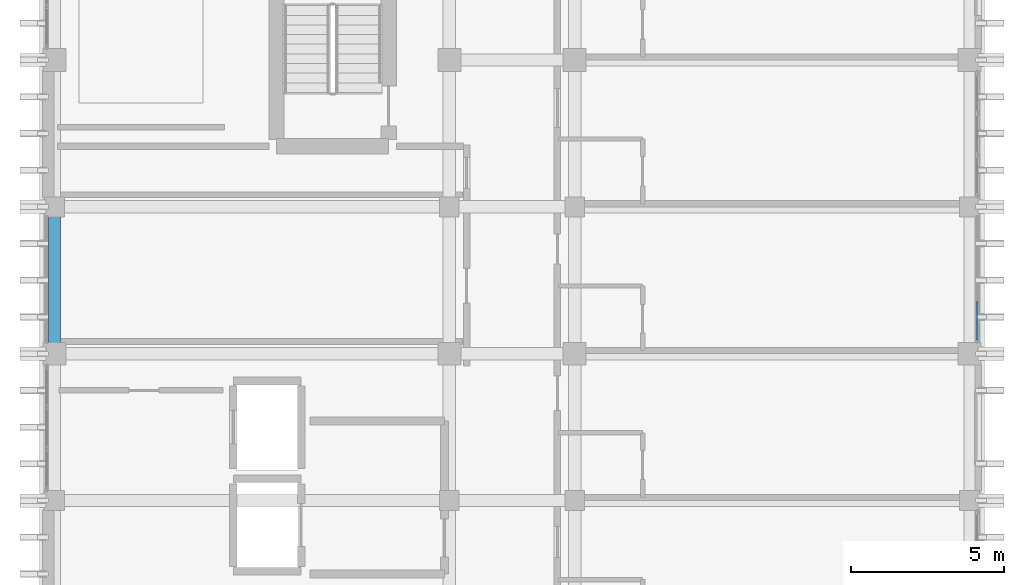
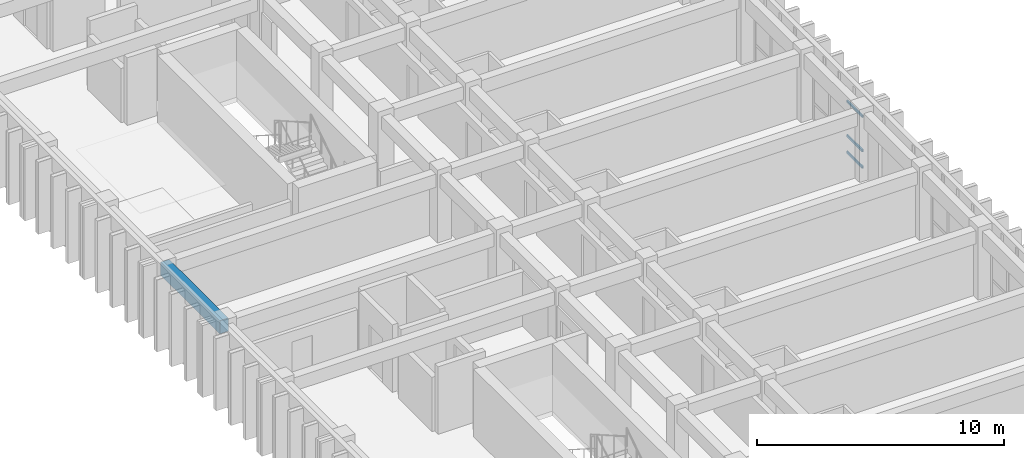
# One storey, part 33 of 64: 3 members, 1 beam, 1 element without a shape of its own.
"""IFC4 building model written with IfcOpenShell, lengths in metres."""

import ifcopenshell
import ifcopenshell.guid

model = None  # the IFC model being written
_history = None  # IfcOwnerHistory: only IFC2X3 demands one
_inside = {}  # id of a spatial element -> (the spatial element, [elements in it])
_under = {}  # id of a project, library or spatial element -> (it, [spatial elements below it])
_declared = {}  # id of a project -> (the project, [libraries it declares])
_typed = {}  # id of a type object -> (the type object, [elements of that type])
_made_of = {}  # id of a material, layer set ... -> (it, [elements and type objects made of it])


def new_model(schema):
    """Start an empty IFC model of exactly this schema.

    Asked for "IFC4X3", IfcOpenShell would pick the latest addendum, in which some entities
    have other attributes; the version numbers below select the first issue.
    IFC2X3 requires an IfcOwnerHistory on every rooted entity: one is made here for all.
    """
    global model, _history
    if schema == "IFC4X3":
        model = ifcopenshell.file(schema_version=(4, 3, 0, 0))
    else:
        model = ifcopenshell.file(schema=schema)
    _inside.clear()
    _under.clear()
    _declared.clear()
    _typed.clear()
    _made_of.clear()
    _history = None
    if model.schema == "IFC2X3":
        org = make("IfcOrganization", Name="unknown")
        user = make(
            "IfcPersonAndOrganization",
            ThePerson=make("IfcPerson", FamilyName="unknown"),
            TheOrganization=org,
        )
        app = make(
            "IfcApplication",
            ApplicationDeveloper=org,
            Version="unknown",
            ApplicationFullName="unknown",
            ApplicationIdentifier="unknown",
        )
        _history = make(
            "IfcOwnerHistory",
            OwningUser=user,
            OwningApplication=app,
            ChangeAction="ADDED",
            CreationDate=0,
        )
    return model


def make(cls, **values):
    """One entity of the class cls with the attributes given. An attribute that is None is left unset."""
    return model.create_entity(
        cls, **{name: value for name, value in values.items() if value is not None}
    )


def rooted(cls, **values):
    """An entity with a GlobalId (a new one), such as an element, a storey or a relation."""
    return make(cls, GlobalId=ifcopenshell.guid.new(), OwnerHistory=_history, **values)


def si_unit(unit_type, name, prefix=None):
    """IfcSIUnit, for example si_unit("LENGTHUNIT", "METRE", prefix="MILLI")."""
    return make("IfcSIUnit", UnitType=unit_type, Prefix=prefix, Name=name)


def assignment(units):
    """IfcUnitAssignment: the units of a project."""
    return None if units is None else make("IfcUnitAssignment", Units=units)


def point(xyz):
    """IfcCartesianPoint."""
    return None if xyz is None else make("IfcCartesianPoint", Coordinates=xyz)


def direction(xyz):
    """IfcDirection."""
    return None if xyz is None else make("IfcDirection", DirectionRatios=xyz)


def frame(location, z_axis=None, x_axis=None):
    """IfcAxis2Placement3D, a coordinate frame: its origin and axes. An axis left out is left unset."""
    return make(
        "IfcAxis2Placement3D",
        Location=point(location),
        Axis=direction(z_axis),
        RefDirection=direction(x_axis),
    )


def frame_2d(location, x_axis=None):
    """IfcAxis2Placement2D, a coordinate frame in the plane: its origin and x axis."""
    return make(
        "IfcAxis2Placement2D", Location=point(location), RefDirection=direction(x_axis)
    )


def origin():
    """The frame at (0, 0, 0) with its axes left unset."""
    return frame((0.0, 0.0, 0.0))


def origin_2d():
    """The frame at (0, 0) in the plane with its x axis left unset."""
    return frame_2d((0.0, 0.0))


def place(relative_to, where):
    """IfcLocalPlacement: puts the frame where relative to a parent placement (None: the world)."""
    return make(
        "IfcLocalPlacement", PlacementRelTo=relative_to, RelativePlacement=where
    )


def context(
    kind, dimensions, precision=None, world=None, true_north=None, identifier=None
):
    """IfcGeometricRepresentationContext, for example the 3D "Model" context."""
    return make(
        "IfcGeometricRepresentationContext",
        ContextIdentifier=identifier,
        ContextType=kind,
        CoordinateSpaceDimension=dimensions,
        Precision=precision,
        WorldCoordinateSystem=world,
        TrueNorth=true_north,
    )


def subcontext(parent, identifier, kind, view, scale=None):
    """IfcGeometricRepresentationSubContext, for example "Body" below "Model"."""
    return make(
        "IfcGeometricRepresentationSubContext",
        ContextIdentifier=identifier,
        ContextType=kind,
        ParentContext=parent,
        TargetScale=scale,
        TargetView=view,
    )


def project(units=None, contexts=None):
    """IfcProject with its units and contexts."""
    return rooted(
        "IfcProject",
        Name="project",
        RepresentationContexts=contexts,
        UnitsInContext=assignment(units),
    )


def spatial(cls, under=None, at=None, **own):
    """A site, building, storey or space (cls), placed at a placement, below another one or the project."""
    s = rooted(cls, ObjectPlacement=at, **own)
    if under is not None:
        _under.setdefault(under.id(), (under, []))[1].append(s)
    return s


def profile(cls, at=None, kind="AREA", **sizes):
    """A parametric profile (cls). Its sizes go by their IFC names, for example OverallWidth=200.0."""
    return make(cls, ProfileType=kind, Position=at, **sizes)


def rectangle(**sizes):
    """IfcRectangleProfileDef."""
    return profile("IfcRectangleProfileDef", **sizes)


def hollow_rectangle(**sizes):
    """IfcRectangleHollowProfileDef."""
    return profile("IfcRectangleHollowProfileDef", **sizes)


def extrude(swept, where, along, depth):
    """IfcExtrudedAreaSolid: the profile swept, set in the frame where, extruded along a direction by depth."""
    return make(
        "IfcExtrudedAreaSolid",
        SweptArea=swept,
        Position=where,
        ExtrudedDirection=direction(along),
        Depth=depth,
    )


def shape(context_of_items, identifier, shape_type, items):
    """IfcShapeRepresentation: the items that make up one representation, for example the "Body"."""
    return make(
        "IfcShapeRepresentation",
        ContextOfItems=context_of_items,
        RepresentationIdentifier=identifier,
        RepresentationType=shape_type,
        Items=items,
    )


def material(Name=None, Category=None):
    """IfcMaterial."""
    return make("IfcMaterial", Name=Name, Category=Category)


def layer(
    of_material, thickness, ventilated=None, Name=None, Category=None, Priority=None
):
    """IfcMaterialLayer: one layer of a wall or slab, of a material (None: an air gap)."""
    return make(
        "IfcMaterialLayer",
        Material=of_material,
        LayerThickness=thickness,
        IsVentilated=ventilated,
        Name=Name,
        Category=Category,
        Priority=Priority,
    )


def layer_set(layers, Name=None):
    """IfcMaterialLayerSet."""
    return make("IfcMaterialLayerSet", MaterialLayers=layers, LayerSetName=Name)


def material_profile(
    of_material, cross_section, Name=None, Category=None, Priority=None
):
    """IfcMaterialProfile: a cross section and its material."""
    return make(
        "IfcMaterialProfile",
        Name=Name,
        Material=of_material,
        Profile=cross_section,
        Priority=Priority,
        Category=Category,
    )


def profile_set(profiles, Name=None, composite=None):
    """IfcMaterialProfileSet."""
    return make(
        "IfcMaterialProfileSet",
        Name=Name,
        MaterialProfiles=profiles,
        CompositeProfile=composite,
    )


def made_of(thing, what):
    """Note that an element or type object is made of a material, layer set ...; save() writes the relation."""
    if what is not None:
        _made_of.setdefault(what.id(), (what, []))[1].append(thing)
    return thing


def type_object(cls, material=None, **own):
    """A type object (cls), such as IfcWallType, which elements share."""
    return made_of(rooted(cls, **own), material)


def element(
    cls,
    number,
    at=None,
    inside=None,
    cuts=None,
    type_object=None,
    material=None,
    context=None,
    identifier="Body",
    shape_type=None,
    held_by="IfcProductDefinitionShape",
    body=None,
    shapes=None,
    **own,
):
    """One element of the class cls, such as IfcWall. Its Tag is "e" and its number.

    at: its placement. inside: the storey or other place that contains it. cuts: it is an
    opening in that element (IfcRelVoidsElement). A single representation is given by context,
    identifier, shape_type and body (its items); several are given by shapes. held_by: the class
    of the entity that holds the representations. save() writes the other relations.
    """
    e = rooted(cls, Tag="e%d" % number, ObjectPlacement=at, **own)
    if body is not None:
        shapes = [shape(context, identifier, shape_type, body)]
    if shapes is not None:
        e.Representation = make(held_by, Representations=shapes)
    if inside is not None:
        _inside.setdefault(inside.id(), (inside, []))[1].append(e)
    if cuts is not None:
        rooted(
            "IfcRelVoidsElement", RelatingBuildingElement=cuts, RelatedOpeningElement=e
        )
    if type_object is not None:
        _typed.setdefault(type_object.id(), (type_object, []))[1].append(e)
    return made_of(e, material)


def aggregate(whole, parts):
    """IfcRelAggregates: a whole, such as a stair, and the parts it consists of."""
    return rooted("IfcRelAggregates", RelatingObject=whole, RelatedObjects=parts)


def save(model, path):
    """Write the relations noted so far, then the file.

    IfcRelAggregates (storeys below a building ...), IfcRelContainedInSpatialStructure (elements
    in a storey), IfcRelDefinesByType, IfcRelAssociatesMaterial and IfcRelDeclares: one each for
    every whole, place, type object, material and project.
    """
    for whole, parts in _under.values():
        aggregate(whole, parts)
    for where, things in _inside.values():
        rooted(
            "IfcRelContainedInSpatialStructure",
            RelatedElements=things,
            RelatingStructure=where,
        )
    for kind, things in _typed.values():
        rooted("IfcRelDefinesByType", RelatedObjects=things, RelatingType=kind)
    for what, things in _made_of.values():
        rooted("IfcRelAssociatesMaterial", RelatedObjects=things, RelatingMaterial=what)
    for by, libraries in _declared.values():
        rooted("IfcRelDeclares", RelatingContext=by, RelatedDefinitions=libraries)
    model.write(path)


model = new_model("IFC4")

# Units and contexts
model_context = context("Model", 3, precision=1e-05, world=origin(), true_north=direction((0.0, 1.0)))
body_context = subcontext(model_context, "Body", "Model", "MODEL_VIEW")
ifc_project = project(units=[si_unit("LENGTHUNIT", "METRE"), si_unit("AREAUNIT", "SQUARE_METRE"), si_unit("VOLUMEUNIT", "CUBIC_METRE"), si_unit("PLANEANGLEUNIT", "RADIAN"), si_unit("MASSUNIT", "GRAM", prefix="KILO")], contexts=[model_context])

# Site, building, storey
site_placement = place(None, origin())
site = spatial("IfcSite", under=ifc_project, at=site_placement, CompositionType="ELEMENT")
building_placement = place(site_placement, origin())
building = spatial("IfcBuilding", under=site, at=building_placement, Name="Nakhvara Creek Congress Hotel", CompositionType="ELEMENT")
storey_placement = place(building_placement, frame((0.0, 0.0, 28.199951171875)))
storey = spatial("IfcBuildingStorey", under=building, at=storey_placement, Name="L06", CompositionType="ELEMENT", Elevation=28.199951171875)

# Beam
ifc_material_1 = material(Name="Concrete C40/50", Category="concrete")
ifc_material_profile_1 = material_profile(ifc_material_1, rectangle(XDim=0.39990234375, YDim=0.64990234375, at=origin_2d()), Name="RC-BM 400x650", Category="LoadBearing")
ifc_profile_set_1 = profile_set([ifc_material_profile_1], Name="Concrete C40/50")
beam_type = type_object("IfcBeamType", Name="BM-RC-400X650", PredefinedType="BEAM", material=ifc_profile_set_1)
beam_placement = place(storey_placement, frame((149.449951171875, 96.0, 3.01513671875), z_axis=(0.0, 1.0, 0.0), x_axis=(-1.0, 0.0, 0.0)))
element("IfcBeam", 1, at=beam_placement, inside=storey, type_object=beam_type, Name="Beam B06-L06-2211", PredefinedType="BEAM", context=body_context, shape_type="SweptSolid", body=[
    extrude(rectangle(XDim=0.39990234375, YDim=0.64990234375, at=origin_2d()), origin(), (0.0, 0.0, 1.0), 4.800048828125),
])

# Curtain wall, members
ifc_material_2 = material(Name="Bronze-anodised aluminium AW-6063-T6 and double-silver low-E glass", Category="aluminium")
ifc_layer = layer(ifc_material_2, 0.199951171875)
ifc_layer_set = layer_set([ifc_layer], Name="Bronze-anodised aluminium AW-6063-T6 and double-silver low-E glass")
curtain_wall_type = type_object("IfcCurtainWallType", Name="CW-HTL-UNIT", PredefinedType="USERDEFINED", material=ifc_layer_set)
curtain_wall_placement = place(storey_placement, origin())
curtain_wall = element("IfcCurtainWall", 2, at=curtain_wall_placement, inside=storey, type_object=curtain_wall_type, Name="Curtain Wall CW245", ObjectType="UNITISED", PredefinedType="USERDEFINED")
ifc_material_3 = material(Name="Bronze-anodised aluminium AW-6063-T6", Category="aluminium")
ifc_material_profile_2 = material_profile(ifc_material_3, hollow_rectangle(XDim=0.06494140625, YDim=0.1201171875, WallThickness=0.00390625, at=origin_2d()), Name="ALU-TRAN 65x120x4", Category="LoadBearing")
ifc_profile_set_2 = profile_set([ifc_material_profile_2], Name="Bronze-anodised aluminium AW-6063-T6")
member_type = type_object("IfcMemberType", Name="CW-TRAN-120", PredefinedType="USERDEFINED", material=ifc_profile_set_2)
member_1_placement = place(storey_placement, frame((179.60009765625, 97.714111328125, 0.032470703125), z_axis=(0.0, -1.0, 0.0), x_axis=(1.0, 0.0, 0.0)))
member_1 = element("IfcMember", 3, at=member_1_placement, type_object=member_type, Name="CW245 transom 3.1", ObjectType="TRANSOM", PredefinedType="USERDEFINED", context=body_context, shape_type="SweptSolid", body=[
    extrude(hollow_rectangle(XDim=0.06494140625, YDim=0.1201171875, WallThickness=0.00390625, at=origin_2d()), origin(), (0.0, 0.0, 1.0), 1.259033203125),
])
member_2_placement = place(storey_placement, frame((179.60009765625, 97.714111328125, 0.85009765625), z_axis=(0.0, -1.0, 0.0), x_axis=(1.0, 0.0, 0.0)))
member_2 = element("IfcMember", 4, at=member_2_placement, type_object=member_type, Name="CW245 transom 3.2", ObjectType="TRANSOM", PredefinedType="USERDEFINED", context=body_context, shape_type="SweptSolid", body=[
    extrude(hollow_rectangle(XDim=0.06494140625, YDim=0.1201171875, WallThickness=0.00390625, at=origin_2d()), origin(), (0.0, 0.0, 1.0), 1.259033203125),
])
member_3_placement = place(storey_placement, frame((179.60009765625, 97.714111328125, 2.549560546875), z_axis=(0.0, -1.0, 0.0), x_axis=(1.0, 0.0, 0.0)))
member_3 = element("IfcMember", 5, at=member_3_placement, type_object=member_type, Name="CW245 transom 3.3", ObjectType="TRANSOM", PredefinedType="USERDEFINED", context=body_context, shape_type="SweptSolid", body=[
    extrude(hollow_rectangle(XDim=0.06494140625, YDim=0.1201171875, WallThickness=0.00390625, at=origin_2d()), origin(), (0.0, 0.0, 1.0), 1.259033203125),
])
aggregate(curtain_wall, [member_1, member_2, member_3])

save(model, "model.ifc")
